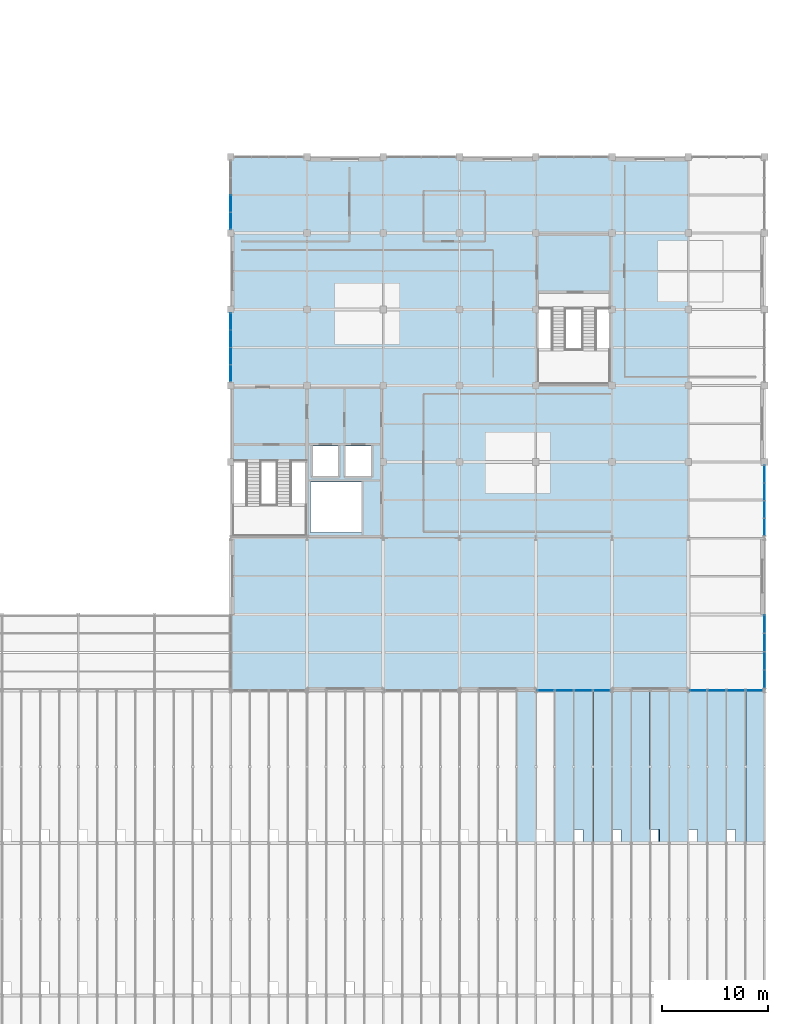
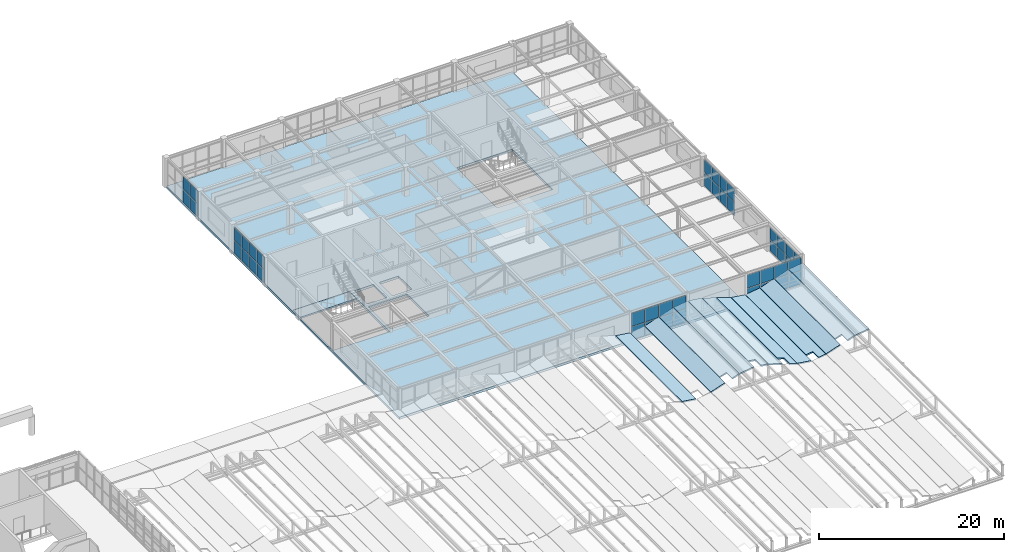
# One storey, part 60 of 83: 44 plates, 14 slabs, 6 elements without a shape of their own.
"""IFC4 building model written with IfcOpenShell, lengths in metres."""

import ifcopenshell
import ifcopenshell.guid

model = None  # the IFC model being written
_history = None  # IfcOwnerHistory: only IFC2X3 demands one
_inside = {}  # id of a spatial element -> (the spatial element, [elements in it])
_under = {}  # id of a project, library or spatial element -> (it, [spatial elements below it])
_declared = {}  # id of a project -> (the project, [libraries it declares])
_typed = {}  # id of a type object -> (the type object, [elements of that type])
_made_of = {}  # id of a material, layer set ... -> (it, [elements and type objects made of it])


def new_model(schema):
    """Start an empty IFC model of exactly this schema.

    Asked for "IFC4X3", IfcOpenShell would pick the latest addendum, in which some entities
    have other attributes; the version numbers below select the first issue.
    IFC2X3 requires an IfcOwnerHistory on every rooted entity: one is made here for all.
    """
    global model, _history
    if schema == "IFC4X3":
        model = ifcopenshell.file(schema_version=(4, 3, 0, 0))
    else:
        model = ifcopenshell.file(schema=schema)
    _inside.clear()
    _under.clear()
    _declared.clear()
    _typed.clear()
    _made_of.clear()
    _history = None
    if model.schema == "IFC2X3":
        org = make("IfcOrganization", Name="unknown")
        user = make(
            "IfcPersonAndOrganization",
            ThePerson=make("IfcPerson", FamilyName="unknown"),
            TheOrganization=org,
        )
        app = make(
            "IfcApplication",
            ApplicationDeveloper=org,
            Version="unknown",
            ApplicationFullName="unknown",
            ApplicationIdentifier="unknown",
        )
        _history = make(
            "IfcOwnerHistory",
            OwningUser=user,
            OwningApplication=app,
            ChangeAction="ADDED",
            CreationDate=0,
        )
    return model


def make(cls, **values):
    """One entity of the class cls with the attributes given. An attribute that is None is left unset."""
    return model.create_entity(
        cls, **{name: value for name, value in values.items() if value is not None}
    )


def rooted(cls, **values):
    """An entity with a GlobalId (a new one), such as an element, a storey or a relation."""
    return make(cls, GlobalId=ifcopenshell.guid.new(), OwnerHistory=_history, **values)


def si_unit(unit_type, name, prefix=None):
    """IfcSIUnit, for example si_unit("LENGTHUNIT", "METRE", prefix="MILLI")."""
    return make("IfcSIUnit", UnitType=unit_type, Prefix=prefix, Name=name)


def assignment(units):
    """IfcUnitAssignment: the units of a project."""
    return None if units is None else make("IfcUnitAssignment", Units=units)


def point(xyz):
    """IfcCartesianPoint."""
    return None if xyz is None else make("IfcCartesianPoint", Coordinates=xyz)


def direction(xyz):
    """IfcDirection."""
    return None if xyz is None else make("IfcDirection", DirectionRatios=xyz)


def frame(location, z_axis=None, x_axis=None):
    """IfcAxis2Placement3D, a coordinate frame: its origin and axes. An axis left out is left unset."""
    return make(
        "IfcAxis2Placement3D",
        Location=point(location),
        Axis=direction(z_axis),
        RefDirection=direction(x_axis),
    )


def frame_2d(location, x_axis=None):
    """IfcAxis2Placement2D, a coordinate frame in the plane: its origin and x axis."""
    return make(
        "IfcAxis2Placement2D", Location=point(location), RefDirection=direction(x_axis)
    )


def origin():
    """The frame at (0, 0, 0) with its axes left unset."""
    return frame((0.0, 0.0, 0.0))


def origin_2d():
    """The frame at (0, 0) in the plane with its x axis left unset."""
    return frame_2d((0.0, 0.0))


def place(relative_to, where):
    """IfcLocalPlacement: puts the frame where relative to a parent placement (None: the world)."""
    return make(
        "IfcLocalPlacement", PlacementRelTo=relative_to, RelativePlacement=where
    )


def context(
    kind, dimensions, precision=None, world=None, true_north=None, identifier=None
):
    """IfcGeometricRepresentationContext, for example the 3D "Model" context."""
    return make(
        "IfcGeometricRepresentationContext",
        ContextIdentifier=identifier,
        ContextType=kind,
        CoordinateSpaceDimension=dimensions,
        Precision=precision,
        WorldCoordinateSystem=world,
        TrueNorth=true_north,
    )


def subcontext(parent, identifier, kind, view, scale=None):
    """IfcGeometricRepresentationSubContext, for example "Body" below "Model"."""
    return make(
        "IfcGeometricRepresentationSubContext",
        ContextIdentifier=identifier,
        ContextType=kind,
        ParentContext=parent,
        TargetScale=scale,
        TargetView=view,
    )


def project(units=None, contexts=None):
    """IfcProject with its units and contexts."""
    return rooted(
        "IfcProject",
        Name="project",
        RepresentationContexts=contexts,
        UnitsInContext=assignment(units),
    )


def spatial(cls, under=None, at=None, **own):
    """A site, building, storey or space (cls), placed at a placement, below another one or the project."""
    s = rooted(cls, ObjectPlacement=at, **own)
    if under is not None:
        _under.setdefault(under.id(), (under, []))[1].append(s)
    return s


def polyline(points):
    """IfcPolyline through the points."""
    return make("IfcPolyline", Points=[point(p) for p in points])


def profile(cls, at=None, kind="AREA", **sizes):
    """A parametric profile (cls). Its sizes go by their IFC names, for example OverallWidth=200.0."""
    return make(cls, ProfileType=kind, Position=at, **sizes)


def rectangle(**sizes):
    """IfcRectangleProfileDef."""
    return profile("IfcRectangleProfileDef", **sizes)


def outline(outer, holes=None, kind="AREA"):
    """IfcArbitraryClosedProfileDef: a profile drawn as a closed curve; with holes, ...WithVoids."""
    if holes is None:
        return make("IfcArbitraryClosedProfileDef", ProfileType=kind, OuterCurve=outer)
    return make(
        "IfcArbitraryProfileDefWithVoids",
        ProfileType=kind,
        OuterCurve=outer,
        InnerCurves=holes,
    )


def extrude(swept, where, along, depth):
    """IfcExtrudedAreaSolid: the profile swept, set in the frame where, extruded along a direction by depth."""
    return make(
        "IfcExtrudedAreaSolid",
        SweptArea=swept,
        Position=where,
        ExtrudedDirection=direction(along),
        Depth=depth,
    )


def shape(context_of_items, identifier, shape_type, items):
    """IfcShapeRepresentation: the items that make up one representation, for example the "Body"."""
    return make(
        "IfcShapeRepresentation",
        ContextOfItems=context_of_items,
        RepresentationIdentifier=identifier,
        RepresentationType=shape_type,
        Items=items,
    )


def material(Name=None, Category=None):
    """IfcMaterial."""
    return make("IfcMaterial", Name=Name, Category=Category)


def layer(
    of_material, thickness, ventilated=None, Name=None, Category=None, Priority=None
):
    """IfcMaterialLayer: one layer of a wall or slab, of a material (None: an air gap)."""
    return make(
        "IfcMaterialLayer",
        Material=of_material,
        LayerThickness=thickness,
        IsVentilated=ventilated,
        Name=Name,
        Category=Category,
        Priority=Priority,
    )


def layer_set(layers, Name=None):
    """IfcMaterialLayerSet."""
    return make("IfcMaterialLayerSet", MaterialLayers=layers, LayerSetName=Name)


def made_of(thing, what):
    """Note that an element or type object is made of a material, layer set ...; save() writes the relation."""
    if what is not None:
        _made_of.setdefault(what.id(), (what, []))[1].append(thing)
    return thing


def type_object(cls, material=None, **own):
    """A type object (cls), such as IfcWallType, which elements share."""
    return made_of(rooted(cls, **own), material)


def element(
    cls,
    number,
    at=None,
    inside=None,
    cuts=None,
    type_object=None,
    material=None,
    context=None,
    identifier="Body",
    shape_type=None,
    held_by="IfcProductDefinitionShape",
    body=None,
    shapes=None,
    **own,
):
    """One element of the class cls, such as IfcWall. Its Tag is "e" and its number.

    at: its placement. inside: the storey or other place that contains it. cuts: it is an
    opening in that element (IfcRelVoidsElement). A single representation is given by context,
    identifier, shape_type and body (its items); several are given by shapes. held_by: the class
    of the entity that holds the representations. save() writes the other relations.
    """
    e = rooted(cls, Tag="e%d" % number, ObjectPlacement=at, **own)
    if body is not None:
        shapes = [shape(context, identifier, shape_type, body)]
    if shapes is not None:
        e.Representation = make(held_by, Representations=shapes)
    if inside is not None:
        _inside.setdefault(inside.id(), (inside, []))[1].append(e)
    if cuts is not None:
        rooted(
            "IfcRelVoidsElement", RelatingBuildingElement=cuts, RelatedOpeningElement=e
        )
    if type_object is not None:
        _typed.setdefault(type_object.id(), (type_object, []))[1].append(e)
    return made_of(e, material)


def aggregate(whole, parts):
    """IfcRelAggregates: a whole, such as a stair, and the parts it consists of."""
    return rooted("IfcRelAggregates", RelatingObject=whole, RelatedObjects=parts)


def save(model, path):
    """Write the relations noted so far, then the file.

    IfcRelAggregates (storeys below a building ...), IfcRelContainedInSpatialStructure (elements
    in a storey), IfcRelDefinesByType, IfcRelAssociatesMaterial and IfcRelDeclares: one each for
    every whole, place, type object, material and project.
    """
    for whole, parts in _under.values():
        aggregate(whole, parts)
    for where, things in _inside.values():
        rooted(
            "IfcRelContainedInSpatialStructure",
            RelatedElements=things,
            RelatingStructure=where,
        )
    for kind, things in _typed.values():
        rooted("IfcRelDefinesByType", RelatedObjects=things, RelatingType=kind)
    for what, things in _made_of.values():
        rooted("IfcRelAssociatesMaterial", RelatedObjects=things, RelatingMaterial=what)
    for by, libraries in _declared.values():
        rooted("IfcRelDeclares", RelatingContext=by, RelatedDefinitions=libraries)
    model.write(path)


model = new_model("IFC4")

# Units and contexts
model_context = context("Model", 3, precision=1e-05, world=origin(), true_north=direction((0.0, 1.0)))
body_context = subcontext(model_context, "Body", "Model", "MODEL_VIEW")
ifc_project = project(units=[si_unit("LENGTHUNIT", "METRE"), si_unit("AREAUNIT", "SQUARE_METRE"), si_unit("VOLUMEUNIT", "CUBIC_METRE"), si_unit("PLANEANGLEUNIT", "RADIAN"), si_unit("MASSUNIT", "GRAM", prefix="KILO")], contexts=[model_context])

# Site, building, storey
site_placement = place(None, origin())
site = spatial("IfcSite", under=ifc_project, at=site_placement, CompositionType="ELEMENT")
building_placement = place(site_placement, origin())
building = spatial("IfcBuilding", under=site, at=building_placement, Name="Leyfeld Transit Interchange", CompositionType="ELEMENT")
storey_placement = place(building_placement, frame((0.0, 0.0, 5.39990234375)))
storey = spatial("IfcBuildingStorey", under=building, at=storey_placement, Name="L01", CompositionType="ELEMENT", Elevation=5.39990234375)

# Curtain wall, plates
ifc_material_1 = material(Name="Anodised aluminium EN AW-6060 T66", Category="aluminium")
curtain_wall_type = type_object("IfcCurtainWallType", Name="CW-SYS-BUS-7200", PredefinedType="NOTDEFINED", material=ifc_material_1)
curtain_wall_1_placement = place(storey_placement, origin())
curtain_wall_1 = element("IfcCurtainWall", 1, at=curtain_wall_1_placement, inside=storey, type_object=curtain_wall_type, Name="Curtain Wall CW-L01-094", PredefinedType="NOTDEFINED")
ifc_material_2 = material(Name="Laminated safety acoustic glazing", Category="glass")
ifc_layer_1 = layer(ifc_material_2, 0.048095703125, Name="Laminated safety acoustic glazing")
ifc_layer_set_1 = layer_set([ifc_layer_1], Name="Laminated safety acoustic glazing")
plate_type = type_object("IfcPlateType", Name="CW-PNL-ACU-48", PredefinedType="CURTAIN_PANEL", material=ifc_layer_set_1)
plate_1_placement = place(storey_placement, frame((187.199951171875, 63.62939453125, 0.07373046875), z_axis=(0.0, 0.0, 1.0), x_axis=(0.0, -1.0, 0.0)))
plate_1 = element("IfcPlate", 2, at=plate_1_placement, type_object=plate_type, Name="Glazed Curtain Panel CW-L01-094-P01_1", PredefinedType="CURTAIN_PANEL", context=body_context, shape_type="SweptSolid", body=[
    extrude(rectangle(XDim=1.564208984375, YDim=0.048095703125, at=origin_2d()), origin(), (0.0, 0.0, 1.0), 1.700439453125),
])
plate_2_placement = place(storey_placement, frame((187.199951171875, 63.62939453125, 1.84619140625), z_axis=(0.0, 0.0, 1.0), x_axis=(0.0, -1.0, 0.0)))
plate_2 = element("IfcPlate", 3, at=plate_2_placement, type_object=plate_type, Name="Glazed Curtain Panel CW-L01-094-P01_2", PredefinedType="CURTAIN_PANEL", context=body_context, shape_type="SweptSolid", body=[
    extrude(rectangle(XDim=1.564208984375, YDim=0.048095703125, at=origin_2d()), origin(), (0.0, 0.0, 1.0), 1.700439453125),
])
plate_3_placement = place(storey_placement, frame((187.199951171875, 61.974365234375, 0.07373046875), z_axis=(0.0, 0.0, 1.0), x_axis=(0.0, -1.0, 0.0)))
plate_3 = element("IfcPlate", 4, at=plate_3_placement, type_object=plate_type, Name="Glazed Curtain Panel CW-L01-094-P02_1", PredefinedType="CURTAIN_PANEL", context=body_context, shape_type="SweptSolid", body=[
    extrude(rectangle(XDim=1.601806640625, YDim=0.048095703125, at=origin_2d()), origin(), (0.0, 0.0, 1.0), 1.700439453125),
])
plate_4_placement = place(storey_placement, frame((187.199951171875, 61.974365234375, 1.84619140625), z_axis=(0.0, 0.0, 1.0), x_axis=(0.0, -1.0, 0.0)))
plate_4 = element("IfcPlate", 5, at=plate_4_placement, type_object=plate_type, Name="Glazed Curtain Panel CW-L01-094-P02_2", PredefinedType="CURTAIN_PANEL", context=body_context, shape_type="SweptSolid", body=[
    extrude(rectangle(XDim=1.601806640625, YDim=0.048095703125, at=origin_2d()), origin(), (0.0, 0.0, 1.0), 1.700439453125),
])
plate_5_placement = place(storey_placement, frame((187.199951171875, 60.300537109375, 0.07373046875), z_axis=(0.0, 0.0, 1.0), x_axis=(0.0, -1.0, 0.0)))
plate_5 = element("IfcPlate", 6, at=plate_5_placement, type_object=plate_type, Name="Glazed Curtain Panel CW-L01-094-P03_1", PredefinedType="CURTAIN_PANEL", context=body_context, shape_type="SweptSolid", body=[
    extrude(rectangle(XDim=1.601806640625, YDim=0.048095703125, at=origin_2d()), origin(), (0.0, 0.0, 1.0), 1.700439453125),
])
plate_6_placement = place(storey_placement, frame((187.199951171875, 60.300537109375, 1.84619140625), z_axis=(0.0, 0.0, 1.0), x_axis=(0.0, -1.0, 0.0)))
plate_6 = element("IfcPlate", 7, at=plate_6_placement, type_object=plate_type, Name="Glazed Curtain Panel CW-L01-094-P03_2", PredefinedType="CURTAIN_PANEL", context=body_context, shape_type="SweptSolid", body=[
    extrude(rectangle(XDim=1.601806640625, YDim=0.048095703125, at=origin_2d()), origin(), (0.0, 0.0, 1.0), 1.700439453125),
])
plate_7_placement = place(storey_placement, frame((187.199951171875, 58.6455078125, 0.07373046875), z_axis=(0.0, 0.0, 1.0), x_axis=(0.0, -1.0, 0.0)))
plate_7 = element("IfcPlate", 8, at=plate_7_placement, type_object=plate_type, Name="Glazed Curtain Panel CW-L01-094-P04_1", PredefinedType="CURTAIN_PANEL", context=body_context, shape_type="SweptSolid", body=[
    extrude(rectangle(XDim=1.564208984375, YDim=0.048095703125, at=origin_2d()), origin(), (0.0, 0.0, 1.0), 1.700439453125),
])
plate_8_placement = place(storey_placement, frame((187.199951171875, 58.6455078125, 1.84619140625), z_axis=(0.0, 0.0, 1.0), x_axis=(0.0, -1.0, 0.0)))
plate_8 = element("IfcPlate", 9, at=plate_8_placement, type_object=plate_type, Name="Glazed Curtain Panel CW-L01-094-P04_2", PredefinedType="CURTAIN_PANEL", context=body_context, shape_type="SweptSolid", body=[
    extrude(rectangle(XDim=1.564208984375, YDim=0.048095703125, at=origin_2d()), origin(), (0.0, 0.0, 1.0), 1.700439453125),
])
aggregate(curtain_wall_1, [plate_1, plate_2, plate_3, plate_4, plate_5, plate_6, plate_7, plate_8])

curtain_wall_2_placement = place(storey_placement, origin())
curtain_wall_2 = element("IfcCurtainWall", 10, at=curtain_wall_2_placement, inside=storey, type_object=curtain_wall_type, Name="Curtain Wall CW-L01-095", PredefinedType="NOTDEFINED")
plate_9_placement = place(storey_placement, frame((187.199951171875, 49.478759765625, 0.07373046875), z_axis=(0.0, 0.0, 1.0), x_axis=(0.0, -1.0, 0.0)))
plate_9 = element("IfcPlate", 11, at=plate_9_placement, type_object=plate_type, Name="Glazed Curtain Panel CW-L01-095-P01_1", PredefinedType="CURTAIN_PANEL", context=body_context, shape_type="SweptSolid", body=[
    extrude(rectangle(XDim=1.635498046875, YDim=0.048095703125, at=origin_2d()), origin(), (0.0, 0.0, 1.0), 1.515380859375),
])
plate_10_placement = place(storey_placement, frame((187.199951171875, 49.478759765625, 1.6611328125), z_axis=(0.0, 0.0, 1.0), x_axis=(0.0, -1.0, 0.0)))
plate_10 = element("IfcPlate", 12, at=plate_10_placement, type_object=plate_type, Name="Glazed Curtain Panel CW-L01-095-P01_2", PredefinedType="CURTAIN_PANEL", context=body_context, shape_type="SweptSolid", body=[
    extrude(rectangle(XDim=1.635498046875, YDim=0.048095703125, at=origin_2d()), origin(), (0.0, 0.0, 1.0), 1.515380859375),
])
plate_11_placement = place(storey_placement, frame((187.199951171875, 47.75244140625, 0.07373046875), z_axis=(0.0, 0.0, 1.0), x_axis=(0.0, -1.0, 0.0)))
plate_11 = element("IfcPlate", 13, at=plate_11_placement, type_object=plate_type, Name="Glazed Curtain Panel CW-L01-095-P02_1", PredefinedType="CURTAIN_PANEL", context=body_context, shape_type="SweptSolid", body=[
    extrude(rectangle(XDim=1.673095703125, YDim=0.048095703125, at=origin_2d()), origin(), (0.0, 0.0, 1.0), 1.515380859375),
])
plate_12_placement = place(storey_placement, frame((187.199951171875, 47.75244140625, 1.6611328125), z_axis=(0.0, 0.0, 1.0), x_axis=(0.0, -1.0, 0.0)))
plate_12 = element("IfcPlate", 14, at=plate_12_placement, type_object=plate_type, Name="Glazed Curtain Panel CW-L01-095-P02_2", PredefinedType="CURTAIN_PANEL", context=body_context, shape_type="SweptSolid", body=[
    extrude(rectangle(XDim=1.673095703125, YDim=0.048095703125, at=origin_2d()), origin(), (0.0, 0.0, 1.0), 1.515380859375),
])
plate_13_placement = place(storey_placement, frame((187.199951171875, 46.007568359375, 0.07373046875), z_axis=(0.0, 0.0, 1.0), x_axis=(0.0, -1.0, 0.0)))
plate_13 = element("IfcPlate", 15, at=plate_13_placement, type_object=plate_type, Name="Glazed Curtain Panel CW-L01-095-P03_1", PredefinedType="CURTAIN_PANEL", context=body_context, shape_type="SweptSolid", body=[
    extrude(rectangle(XDim=1.673095703125, YDim=0.048095703125, at=origin_2d()), origin(), (0.0, 0.0, 1.0), 1.515380859375),
])
plate_14_placement = place(storey_placement, frame((187.199951171875, 46.007568359375, 1.6611328125), z_axis=(0.0, 0.0, 1.0), x_axis=(0.0, -1.0, 0.0)))
plate_14 = element("IfcPlate", 16, at=plate_14_placement, type_object=plate_type, Name="Glazed Curtain Panel CW-L01-095-P03_2", PredefinedType="CURTAIN_PANEL", context=body_context, shape_type="SweptSolid", body=[
    extrude(rectangle(XDim=1.673095703125, YDim=0.048095703125, at=origin_2d()), origin(), (0.0, 0.0, 1.0), 1.515380859375),
])
plate_15_placement = place(storey_placement, frame((187.199951171875, 44.28125, 0.07373046875), z_axis=(0.0, 0.0, 1.0), x_axis=(0.0, -1.0, 0.0)))
plate_15 = element("IfcPlate", 17, at=plate_15_placement, type_object=plate_type, Name="Glazed Curtain Panel CW-L01-095-P04_1", PredefinedType="CURTAIN_PANEL", context=body_context, shape_type="SweptSolid", body=[
    extrude(rectangle(XDim=1.635498046875, YDim=0.048095703125, at=origin_2d()), origin(), (0.0, 0.0, 1.0), 1.515380859375),
])
plate_16_placement = place(storey_placement, frame((187.199951171875, 44.28125, 1.6611328125), z_axis=(0.0, 0.0, 1.0), x_axis=(0.0, -1.0, 0.0)))
plate_16 = element("IfcPlate", 18, at=plate_16_placement, type_object=plate_type, Name="Glazed Curtain Panel CW-L01-095-P04_2", PredefinedType="CURTAIN_PANEL", context=body_context, shape_type="SweptSolid", body=[
    extrude(rectangle(XDim=1.635498046875, YDim=0.048095703125, at=origin_2d()), origin(), (0.0, 0.0, 1.0), 1.515380859375),
])
aggregate(curtain_wall_2, [plate_9, plate_10, plate_11, plate_12, plate_13, plate_14, plate_15, plate_16])

curtain_wall_3_placement = place(storey_placement, origin())
curtain_wall_3 = element("IfcCurtainWall", 19, at=curtain_wall_3_placement, inside=storey, type_object=curtain_wall_type, Name="Curtain Wall CW-L01-096", PredefinedType="NOTDEFINED")
plate_17_placement = place(storey_placement, frame((186.17626953125, 43.199951171875, 0.07373046875), z_axis=(0.0, 0.0, 1.0), x_axis=(-1.0, 0.0, 0.0)))
plate_17 = element("IfcPlate", 20, at=plate_17_placement, type_object=plate_type, Name="Glazed Curtain Panel CW-L01-096-P01_1", PredefinedType="CURTAIN_PANEL", context=body_context, shape_type="SweptSolid", body=[
    extrude(rectangle(XDim=1.62060546875, YDim=0.048095703125, at=origin_2d()), origin(), (0.0, 0.0, 1.0), 1.715576171875),
])
plate_18_placement = place(storey_placement, frame((186.17626953125, 43.199951171875, 1.86083984375), z_axis=(0.0, 0.0, 1.0), x_axis=(-1.0, 0.0, 0.0)))
plate_18 = element("IfcPlate", 21, at=plate_18_placement, type_object=plate_type, Name="Glazed Curtain Panel CW-L01-096-P01_2", PredefinedType="CURTAIN_PANEL", context=body_context, shape_type="SweptSolid", body=[
    extrude(rectangle(XDim=1.62060546875, YDim=0.048095703125, at=origin_2d()), origin(), (0.0, 0.0, 1.0), 1.715576171875),
])
plate_19_placement = place(storey_placement, frame((184.465087890625, 43.199951171875, 0.07373046875), z_axis=(0.0, 0.0, 1.0), x_axis=(-1.0, 0.0, 0.0)))
plate_19 = element("IfcPlate", 22, at=plate_19_placement, type_object=plate_type, Name="Glazed Curtain Panel CW-L01-096-P02_1", PredefinedType="CURTAIN_PANEL", context=body_context, shape_type="SweptSolid", body=[
    extrude(rectangle(XDim=1.657958984375, YDim=0.048095703125, at=origin_2d()), origin(), (0.0, 0.0, 1.0), 1.715576171875),
])
plate_20_placement = place(storey_placement, frame((184.465087890625, 43.199951171875, 1.86083984375), z_axis=(0.0, 0.0, 1.0), x_axis=(-1.0, 0.0, 0.0)))
plate_20 = element("IfcPlate", 23, at=plate_20_placement, type_object=plate_type, Name="Glazed Curtain Panel CW-L01-096-P02_2", PredefinedType="CURTAIN_PANEL", context=body_context, shape_type="SweptSolid", body=[
    extrude(rectangle(XDim=1.657958984375, YDim=0.048095703125, at=origin_2d()), origin(), (0.0, 0.0, 1.0), 1.715576171875),
])
plate_21_placement = place(storey_placement, frame((182.735107421875, 43.199951171875, 0.07373046875), z_axis=(0.0, 0.0, 1.0), x_axis=(-1.0, 0.0, 0.0)))
plate_21 = element("IfcPlate", 24, at=plate_21_placement, type_object=plate_type, Name="Glazed Curtain Panel CW-L01-096-P03_1", PredefinedType="CURTAIN_PANEL", context=body_context, shape_type="SweptSolid", body=[
    extrude(rectangle(XDim=1.657958984375, YDim=0.048095703125, at=origin_2d()), origin(), (0.0, 0.0, 1.0), 1.715576171875),
])
plate_22_placement = place(storey_placement, frame((182.735107421875, 43.199951171875, 1.86083984375), z_axis=(0.0, 0.0, 1.0), x_axis=(-1.0, 0.0, 0.0)))
plate_22 = element("IfcPlate", 25, at=plate_22_placement, type_object=plate_type, Name="Glazed Curtain Panel CW-L01-096-P03_2", PredefinedType="CURTAIN_PANEL", context=body_context, shape_type="SweptSolid", body=[
    extrude(rectangle(XDim=1.657958984375, YDim=0.048095703125, at=origin_2d()), origin(), (0.0, 0.0, 1.0), 1.715576171875),
])
plate_23_placement = place(storey_placement, frame((181.023681640625, 43.199951171875, 0.07373046875), z_axis=(0.0, 0.0, 1.0), x_axis=(-1.0, 0.0, 0.0)))
plate_23 = element("IfcPlate", 26, at=plate_23_placement, type_object=plate_type, Name="Glazed Curtain Panel CW-L01-096-P04_1", PredefinedType="CURTAIN_PANEL", context=body_context, shape_type="SweptSolid", body=[
    extrude(rectangle(XDim=1.62060546875, YDim=0.048095703125, at=origin_2d()), origin(), (0.0, 0.0, 1.0), 1.715576171875),
])
plate_24_placement = place(storey_placement, frame((181.023681640625, 43.199951171875, 1.86083984375), z_axis=(0.0, 0.0, 1.0), x_axis=(-1.0, 0.0, 0.0)))
plate_24 = element("IfcPlate", 27, at=plate_24_placement, type_object=plate_type, Name="Glazed Curtain Panel CW-L01-096-P04_2", PredefinedType="CURTAIN_PANEL", context=body_context, shape_type="SweptSolid", body=[
    extrude(rectangle(XDim=1.62060546875, YDim=0.048095703125, at=origin_2d()), origin(), (0.0, 0.0, 1.0), 1.715576171875),
])
aggregate(curtain_wall_3, [plate_17, plate_18, plate_19, plate_20, plate_21, plate_22, plate_23, plate_24])

curtain_wall_4_placement = place(storey_placement, origin())
curtain_wall_4 = element("IfcCurtainWall", 28, at=curtain_wall_4_placement, inside=storey, type_object=curtain_wall_type, Name="Curtain Wall CW-L01-097", PredefinedType="NOTDEFINED")
plate_25_placement = place(storey_placement, frame((171.7763671875, 43.199951171875, 0.07373046875), z_axis=(0.0, 0.0, 1.0), x_axis=(-1.0, 0.0, 0.0)))
plate_25 = element("IfcPlate", 29, at=plate_25_placement, type_object=plate_type, Name="Glazed Curtain Panel CW-L01-097-P01_1", PredefinedType="CURTAIN_PANEL", context=body_context, shape_type="SweptSolid", body=[
    extrude(rectangle(XDim=1.62060546875, YDim=0.048095703125, at=origin_2d()), origin(), (0.0, 0.0, 1.0), 1.715576171875),
])
plate_26_placement = place(storey_placement, frame((171.7763671875, 43.199951171875, 1.86083984375), z_axis=(0.0, 0.0, 1.0), x_axis=(-1.0, 0.0, 0.0)))
plate_26 = element("IfcPlate", 30, at=plate_26_placement, type_object=plate_type, Name="Glazed Curtain Panel CW-L01-097-P01_2", PredefinedType="CURTAIN_PANEL", context=body_context, shape_type="SweptSolid", body=[
    extrude(rectangle(XDim=1.62060546875, YDim=0.048095703125, at=origin_2d()), origin(), (0.0, 0.0, 1.0), 1.715576171875),
])
plate_27_placement = place(storey_placement, frame((170.06494140625, 43.199951171875, 0.07373046875), z_axis=(0.0, 0.0, 1.0), x_axis=(-1.0, 0.0, 0.0)))
plate_27 = element("IfcPlate", 31, at=plate_27_placement, type_object=plate_type, Name="Glazed Curtain Panel CW-L01-097-P02_1", PredefinedType="CURTAIN_PANEL", context=body_context, shape_type="SweptSolid", body=[
    extrude(rectangle(XDim=1.657958984375, YDim=0.048095703125, at=origin_2d()), origin(), (0.0, 0.0, 1.0), 1.715576171875),
])
plate_28_placement = place(storey_placement, frame((170.06494140625, 43.199951171875, 1.86083984375), z_axis=(0.0, 0.0, 1.0), x_axis=(-1.0, 0.0, 0.0)))
plate_28 = element("IfcPlate", 32, at=plate_28_placement, type_object=plate_type, Name="Glazed Curtain Panel CW-L01-097-P02_2", PredefinedType="CURTAIN_PANEL", context=body_context, shape_type="SweptSolid", body=[
    extrude(rectangle(XDim=1.657958984375, YDim=0.048095703125, at=origin_2d()), origin(), (0.0, 0.0, 1.0), 1.715576171875),
])
plate_29_placement = place(storey_placement, frame((168.3349609375, 43.199951171875, 0.07373046875), z_axis=(0.0, 0.0, 1.0), x_axis=(-1.0, 0.0, 0.0)))
plate_29 = element("IfcPlate", 33, at=plate_29_placement, type_object=plate_type, Name="Glazed Curtain Panel CW-L01-097-P03_1", PredefinedType="CURTAIN_PANEL", context=body_context, shape_type="SweptSolid", body=[
    extrude(rectangle(XDim=1.657958984375, YDim=0.048095703125, at=origin_2d()), origin(), (0.0, 0.0, 1.0), 1.715576171875),
])
plate_30_placement = place(storey_placement, frame((168.3349609375, 43.199951171875, 1.86083984375), z_axis=(0.0, 0.0, 1.0), x_axis=(-1.0, 0.0, 0.0)))
plate_30 = element("IfcPlate", 34, at=plate_30_placement, type_object=plate_type, Name="Glazed Curtain Panel CW-L01-097-P03_2", PredefinedType="CURTAIN_PANEL", context=body_context, shape_type="SweptSolid", body=[
    extrude(rectangle(XDim=1.657958984375, YDim=0.048095703125, at=origin_2d()), origin(), (0.0, 0.0, 1.0), 1.715576171875),
])
plate_31_placement = place(storey_placement, frame((166.623779296875, 43.199951171875, 0.07373046875), z_axis=(0.0, 0.0, 1.0), x_axis=(-1.0, 0.0, 0.0)))
plate_31 = element("IfcPlate", 35, at=plate_31_placement, type_object=plate_type, Name="Glazed Curtain Panel CW-L01-097-P04_1", PredefinedType="CURTAIN_PANEL", context=body_context, shape_type="SweptSolid", body=[
    extrude(rectangle(XDim=1.62060546875, YDim=0.048095703125, at=origin_2d()), origin(), (0.0, 0.0, 1.0), 1.715576171875),
])
plate_32_placement = place(storey_placement, frame((166.623779296875, 43.199951171875, 1.86083984375), z_axis=(0.0, 0.0, 1.0), x_axis=(-1.0, 0.0, 0.0)))
plate_32 = element("IfcPlate", 36, at=plate_32_placement, type_object=plate_type, Name="Glazed Curtain Panel CW-L01-097-P04_2", PredefinedType="CURTAIN_PANEL", context=body_context, shape_type="SweptSolid", body=[
    extrude(rectangle(XDim=1.62060546875, YDim=0.048095703125, at=origin_2d()), origin(), (0.0, 0.0, 1.0), 1.715576171875),
])
aggregate(curtain_wall_4, [plate_25, plate_26, plate_27, plate_28, plate_29, plate_30, plate_31, plate_32])

curtain_wall_5_placement = place(storey_placement, origin())
curtain_wall_5 = element("IfcCurtainWall", 37, at=curtain_wall_5_placement, inside=storey, type_object=curtain_wall_type, Name="Curtain Wall CW-L01-101", PredefinedType="NOTDEFINED")
plate_33_placement = place(storey_placement, frame((136.800048828125, 73.155029296875, 0.07373046875), z_axis=(0.0, 0.0, 1.0), x_axis=(0.0, 1.0, 0.0)))
plate_33 = element("IfcPlate", 38, at=plate_33_placement, type_object=plate_type, Name="Glazed Curtain Panel CW-L01-101-P01_1", PredefinedType="CURTAIN_PANEL", context=body_context, shape_type="SweptSolid", body=[
    extrude(rectangle(XDim=1.532958984375, YDim=0.048095703125, at=origin_2d()), origin(), (0.0, 0.0, 1.0), 1.675537109375),
])
plate_34_placement = place(storey_placement, frame((136.800048828125, 73.155029296875, 1.82080078125), z_axis=(0.0, 0.0, 1.0), x_axis=(0.0, 1.0, 0.0)))
plate_34 = element("IfcPlate", 39, at=plate_34_placement, type_object=plate_type, Name="Glazed Curtain Panel CW-L01-101-P01_2", PredefinedType="CURTAIN_PANEL", context=body_context, shape_type="SweptSolid", body=[
    extrude(rectangle(XDim=1.532958984375, YDim=0.048095703125, at=origin_2d()), origin(), (0.0, 0.0, 1.0), 1.675537109375),
])
plate_35_placement = place(storey_placement, frame((136.800048828125, 74.77880859375, 0.07373046875), z_axis=(0.0, 0.0, 1.0), x_axis=(0.0, 1.0, 0.0)))
plate_35 = element("IfcPlate", 40, at=plate_35_placement, type_object=plate_type, Name="Glazed Curtain Panel CW-L01-101-P02_1", PredefinedType="CURTAIN_PANEL", context=body_context, shape_type="SweptSolid", body=[
    extrude(rectangle(XDim=1.570556640625, YDim=0.048095703125, at=origin_2d()), origin(), (0.0, 0.0, 1.0), 1.675537109375),
])
plate_36_placement = place(storey_placement, frame((136.800048828125, 74.77880859375, 1.82080078125), z_axis=(0.0, 0.0, 1.0), x_axis=(0.0, 1.0, 0.0)))
plate_36 = element("IfcPlate", 41, at=plate_36_placement, type_object=plate_type, Name="Glazed Curtain Panel CW-L01-101-P02_2", PredefinedType="CURTAIN_PANEL", context=body_context, shape_type="SweptSolid", body=[
    extrude(rectangle(XDim=1.570556640625, YDim=0.048095703125, at=origin_2d()), origin(), (0.0, 0.0, 1.0), 1.675537109375),
])
plate_37_placement = place(storey_placement, frame((136.800048828125, 76.42138671875, 0.07373046875), z_axis=(0.0, 0.0, 1.0), x_axis=(0.0, 1.0, 0.0)))
plate_37 = element("IfcPlate", 42, at=plate_37_placement, type_object=plate_type, Name="Glazed Curtain Panel CW-L01-101-P03_1", PredefinedType="CURTAIN_PANEL", context=body_context, shape_type="SweptSolid", body=[
    extrude(rectangle(XDim=1.570556640625, YDim=0.048095703125, at=origin_2d()), origin(), (0.0, 0.0, 1.0), 1.675537109375),
])
plate_38_placement = place(storey_placement, frame((136.800048828125, 76.42138671875, 1.82080078125), z_axis=(0.0, 0.0, 1.0), x_axis=(0.0, 1.0, 0.0)))
plate_38 = element("IfcPlate", 43, at=plate_38_placement, type_object=plate_type, Name="Glazed Curtain Panel CW-L01-101-P03_2", PredefinedType="CURTAIN_PANEL", context=body_context, shape_type="SweptSolid", body=[
    extrude(rectangle(XDim=1.570556640625, YDim=0.048095703125, at=origin_2d()), origin(), (0.0, 0.0, 1.0), 1.675537109375),
])
plate_39_placement = place(storey_placement, frame((136.800048828125, 78.044921875, 0.07373046875), z_axis=(0.0, 0.0, 1.0), x_axis=(0.0, 1.0, 0.0)))
plate_39 = element("IfcPlate", 44, at=plate_39_placement, type_object=plate_type, Name="Glazed Curtain Panel CW-L01-101-P04_1", PredefinedType="CURTAIN_PANEL", context=body_context, shape_type="SweptSolid", body=[
    extrude(rectangle(XDim=1.532958984375, YDim=0.048095703125, at=origin_2d()), origin(), (0.0, 0.0, 1.0), 1.675537109375),
])
plate_40_placement = place(storey_placement, frame((136.800048828125, 78.044921875, 1.82080078125), z_axis=(0.0, 0.0, 1.0), x_axis=(0.0, 1.0, 0.0)))
plate_40 = element("IfcPlate", 45, at=plate_40_placement, type_object=plate_type, Name="Glazed Curtain Panel CW-L01-101-P04_2", PredefinedType="CURTAIN_PANEL", context=body_context, shape_type="SweptSolid", body=[
    extrude(rectangle(XDim=1.532958984375, YDim=0.048095703125, at=origin_2d()), origin(), (0.0, 0.0, 1.0), 1.675537109375),
])
aggregate(curtain_wall_5, [plate_33, plate_34, plate_35, plate_36, plate_37, plate_38, plate_39, plate_40])

curtain_wall_6_placement = place(storey_placement, origin())
curtain_wall_6 = element("IfcCurtainWall", 46, at=curtain_wall_6_placement, inside=storey, type_object=curtain_wall_type, Name="Curtain Wall CW-L01-102", PredefinedType="NOTDEFINED")
plate_41_placement = place(storey_placement, frame((136.800048828125, 87.554931640625, 0.07373046875), z_axis=(0.0, 0.0, 1.0), x_axis=(0.0, 1.0, 0.0)))
plate_41 = element("IfcPlate", 47, at=plate_41_placement, type_object=plate_type, Name="Glazed Curtain Panel CW-L01-102-P01_1", PredefinedType="CURTAIN_PANEL", context=body_context, shape_type="SweptSolid", body=[
    extrude(rectangle(XDim=1.532958984375, YDim=0.048095703125, at=origin_2d()), origin(), (0.0, 0.0, 1.0), 1.675537109375),
])
plate_42_placement = place(storey_placement, frame((136.800048828125, 87.554931640625, 1.82080078125), z_axis=(0.0, 0.0, 1.0), x_axis=(0.0, 1.0, 0.0)))
plate_42 = element("IfcPlate", 48, at=plate_42_placement, type_object=plate_type, Name="Glazed Curtain Panel CW-L01-102-P01_2", PredefinedType="CURTAIN_PANEL", context=body_context, shape_type="SweptSolid", body=[
    extrude(rectangle(XDim=1.532958984375, YDim=0.048095703125, at=origin_2d()), origin(), (0.0, 0.0, 1.0), 1.675537109375),
])
plate_43_placement = place(storey_placement, frame((136.800048828125, 89.1787109375, 0.07373046875), z_axis=(0.0, 0.0, 1.0), x_axis=(0.0, 1.0, 0.0)))
plate_43 = element("IfcPlate", 49, at=plate_43_placement, type_object=plate_type, Name="Glazed Curtain Panel CW-L01-102-P02_1", PredefinedType="CURTAIN_PANEL", context=body_context, shape_type="SweptSolid", body=[
    extrude(rectangle(XDim=1.570556640625, YDim=0.048095703125, at=origin_2d()), origin(), (0.0, 0.0, 1.0), 1.675537109375),
])
plate_44_placement = place(storey_placement, frame((136.800048828125, 89.1787109375, 1.82080078125), z_axis=(0.0, 0.0, 1.0), x_axis=(0.0, 1.0, 0.0)))
plate_44 = element("IfcPlate", 50, at=plate_44_placement, type_object=plate_type, Name="Glazed Curtain Panel CW-L01-102-P02_2", PredefinedType="CURTAIN_PANEL", context=body_context, shape_type="SweptSolid", body=[
    extrude(rectangle(XDim=1.570556640625, YDim=0.048095703125, at=origin_2d()), origin(), (0.0, 0.0, 1.0), 1.675537109375),
])
aggregate(curtain_wall_6, [plate_41, plate_42, plate_43, plate_44])

# Slabs
ifc_material_3 = material(Name="Concrete C35/45", Category="concrete")
ifc_layer_2 = layer(ifc_material_3, 0.300048828125, Name="Concrete C35/45")
ifc_layer_set_2 = layer_set([ifc_layer_2], Name="Concrete C35/45")
slab_type_1 = type_object("IfcSlabType", Name="SLB-FLR-300", PredefinedType="FLOOR", material=ifc_layer_set_2)
slab_1_placement = place(storey_placement, frame((0.0, 0.0, -0.2998046875)))
element("IfcSlab", 51, at=slab_1_placement, inside=storey, type_object=slab_type_1, Name="Slab V4 L01 B1", PredefinedType="FLOOR", context=body_context, shape_type="SweptSolid", body=[
    extrude(outline(polyline([(180.0, 93.574951171875), (136.800048828125, 93.574951171875), (136.800048828125, 43.199951171875), (180.0, 43.199951171875), (180.0, 93.574951171875)]), holes=[polyline([(144.0, 57.75), (136.949951171875, 57.75), (136.949951171875, 66.449951171875), (144.0, 66.449951171875), (144.0, 57.75)]), polyline([(144.35009765625, 58.14990234375), (144.35009765625, 62.919921875), (149.14990234375, 62.919921875), (149.14990234375, 58.14990234375), (144.35009765625, 58.14990234375)]), polyline([(144.550048828125, 66.300048828125), (146.949951171875, 66.300048828125), (146.949951171875, 63.449951171875), (144.550048828125, 63.449951171875), (144.550048828125, 66.300048828125)]), polyline([(150.050048828125, 66.300048828125), (150.050048828125, 63.449951171875), (147.64990234375, 63.449951171875), (147.64990234375, 66.300048828125), (150.050048828125, 66.300048828125)]), polyline([(172.6650390625, 72.135009765625), (165.735107421875, 72.135009765625), (165.735107421875, 80.85009765625), (172.6650390625, 80.85009765625), (172.6650390625, 72.135009765625)])]), origin(), (0.0, 0.0, 1.0), 0.2998046875),
])
ifc_material_4 = material(Name="Precast concrete C40/50", Category="concrete")
ifc_layer_3 = layer(ifc_material_4, 0.199951171875, Name="Precast concrete C40/50")
ifc_layer_set_3 = layer_set([ifc_layer_3], Name="Precast concrete C40/50")
slab_type_2 = type_object("IfcSlabType", Name="SLB-LND-200", PredefinedType="LANDING", material=ifc_layer_set_3)
slab_2_placement = place(storey_placement, frame((0.0, 0.0, -0.199951171875)))
element("IfcSlab", 52, at=slab_2_placement, inside=storey, type_object=slab_type_2, Name="Core K4 Stair Floor Landing L01", PredefinedType="LANDING", context=body_context, shape_type="SweptSolid", body=[
    extrude(outline(polyline([(136.955078125, 64.89990234375), (143.9951171875, 64.89990234375), (143.9951171875, 66.445068359375), (136.955078125, 66.445068359375), (136.955078125, 64.89990234375)])), origin(), (0.0, 0.0, 1.0), 0.199951171875),
])
ifc_layer_4 = layer(ifc_material_4, 0.179931640625, Name="Precast concrete C40/50")
ifc_layer_set_4 = layer_set([ifc_layer_4], Name="Precast concrete C40/50")
slab_type_3 = type_object("IfcSlabType", Name="SLB-WAVE-180", PredefinedType="ROOF", material=ifc_layer_set_4)
slab_3_placement = place(storey_placement, frame((163.820068359375, 28.820068359375, 1.34375), z_axis=(0.137130242691, 0.0, 0.990553025607), x_axis=(0.990553025607, 0.0, -0.137130242691)))
element("IfcSlab", 53, at=slab_3_placement, inside=storey, type_object=slab_type_3, Name="Bus Canopy Wave Shell R3 S36", PredefinedType="ROOF", context=body_context, shape_type="SweptSolid", body=[
    extrude(outline(polyline([(0.0, 0.0), (1.7767951034686682, 0.0), (1.7767951034686682, 14.35986328125), (0.0, 14.35986328125), (0.0, 0.0)])), origin(), (0.0, 0.0, -1.0), 0.179931640625),
])
slab_4_placement = place(storey_placement, frame((167.419921875, 28.820068359375, 1.354248046875), z_axis=(-0.317056465138, 0.0, 0.948406662732), x_axis=(0.948406662732, 0.0, 0.317056465138)))
element("IfcSlab", 54, at=slab_4_placement, inside=storey, type_object=slab_type_3, Name="Bus Canopy Wave Shell R3 S38", PredefinedType="ROOF", context=body_context, shape_type="SweptSolid", body=[
    extrude(outline(polyline([(0.0, 0.0), (1.8557543243692887, 0.0), (1.8557543243692887, 14.359863281250004), (0.0, 14.359863281250004), (0.0, 0.0)])), origin(), (0.0, 0.0, -1.0), 0.179931640625),
])
slab_5_placement = place(storey_placement, frame((169.219970703125, 30.070068359375, 1.95751953125), z_axis=(-0.317056978244, -4.01599e-07, 0.948406491198), x_axis=(0.948406491198, -5e-12, 0.317056978244)))
element("IfcSlab", 55, at=slab_5_placement, inside=storey, type_object=slab_type_3, Name="Bus Canopy Wave Shell R3 S39", PredefinedType="ROOF", context=body_context, shape_type="SweptSolid", body=[
    extrude(outline(polyline([(0.0, 0.0), (0.8963392883369066, 0.0), (0.8963392883433661, -1.2499999999998992), (1.8557543243754764, -1.2499999999907125), (1.8557543243012695, 13.10986328125813), (-6.774716185961031e-11, 13.109863281248943), (0.0, 0.0)])), origin(), (0.0, 0.0, -1.0), 0.179931640625),
])
slab_6_placement = place(storey_placement, frame((171.02001953125, 28.820068359375, 2.556396484375), z_axis=(-0.137130242691, 0.0, 0.990553025607), x_axis=(0.990553025607, 0.0, 0.137130242691)))
element("IfcSlab", 56, at=slab_6_placement, inside=storey, type_object=slab_type_3, Name="Bus Canopy Wave Shell R3 S40", PredefinedType="ROOF", context=body_context, shape_type="SweptSolid", body=[
    extrude(outline(polyline([(0.0, 0.0), (1.7767951034686682, 0.0), (1.7767951034686682, 14.35986328125), (0.0, 14.35986328125), (0.0, 0.0)])), origin(), (0.0, 0.0, -1.0), 0.179931640625),
])
slab_7_placement = place(storey_placement, frame((172.820068359375, 30.070068359375, 2.800048828125), z_axis=(0.137129053119, -8.53513e-07, 0.990553190288), x_axis=(0.990553190288, -2.4e-11, -0.13712905312)))
element("IfcSlab", 57, at=slab_7_placement, inside=storey, type_object=slab_type_3, Name="Bus Canopy Wave Shell R3 S41", PredefinedType="ROOF", context=body_context, shape_type="SweptSolid", body=[
    extrude(outline(polyline([(0.0, 0.0), (0.8579618796380758, 1.3234889800848443e-23), (0.8579618796685577, -1.2499999999995446), (1.7767951034978688, -1.2499999999580378), (1.776795103147696, 13.109863281286732), (-3.1969096300248064e-10, 13.109863281245225), (0.0, 0.0)])), origin(), (0.0, 0.0, -1.0), 0.179931640625),
])
slab_8_placement = place(storey_placement, frame((174.6201171875, 28.820068359375, 2.5458984375), z_axis=(0.317096029298, 0.0, 0.948393435344), x_axis=(0.948393435344, 0.0, -0.317096029298)))
element("IfcSlab", 58, at=slab_8_placement, inside=storey, type_object=slab_type_3, Name="Bus Canopy Wave Shell R3 S42", PredefinedType="ROOF", context=body_context, shape_type="SweptSolid", body=[
    extrude(outline(polyline([(0.0, 0.0), (1.8555227813884656, 0.0), (1.8555227813884656, 14.35986328125), (0.0, 14.35986328125), (0.0, 0.0)])), origin(), (0.0, 0.0, -1.0), 0.179931640625),
])
slab_9_placement = place(storey_placement, frame((176.419921875, 30.070068359375, 1.942626953125), z_axis=(0.317056978244, 4.01599e-07, 0.948406491198), x_axis=(0.948406491198, -5e-12, -0.317056978244)))
element("IfcSlab", 59, at=slab_9_placement, inside=storey, type_object=slab_type_3, Name="Bus Canopy Wave Shell R3 S43", PredefinedType="ROOF", context=body_context, shape_type="SweptSolid", body=[
    extrude(outline(polyline([(0.0, 0.0), (0.8963392883369066, 0.0), (0.8963392883433661, -1.2499999999998992), (1.8557543243754764, -1.2499999999907125), (1.8557543243012695, 13.10986328125813), (-6.774716185961031e-11, 13.109863281248943), (0.0, 0.0)])), origin(), (0.0, 0.0, -1.0), 0.179931640625),
])
slab_10_placement = place(storey_placement, frame((178.219970703125, 28.820068359375, 1.34375), z_axis=(0.137130242691, 0.0, 0.990553025607), x_axis=(0.990553025607, 0.0, -0.137130242691)))
element("IfcSlab", 60, at=slab_10_placement, inside=storey, type_object=slab_type_3, Name="Bus Canopy Wave Shell R3 S44", PredefinedType="ROOF", context=body_context, shape_type="SweptSolid", body=[
    extrude(outline(polyline([(0.0, 0.0), (1.7767951034686682, 0.0), (1.7767951034686682, 14.35986328125), (0.0, 14.35986328125), (0.0, 0.0)])), origin(), (0.0, 0.0, -1.0), 0.179931640625),
])
slab_11_placement = place(storey_placement, frame((180.02001953125, 30.070068359375, 1.10009765625), z_axis=(-0.137130749114, -3.63357e-07, 0.990552955499), x_axis=(0.990552955499, -4e-12, 0.137130749114)))
element("IfcSlab", 61, at=slab_11_placement, inside=storey, type_object=slab_type_3, Name="Bus Canopy Wave Shell R3 S45", PredefinedType="ROOF", context=body_context, shape_type="SweptSolid", body=[
    extrude(outline(polyline([(0.0, 0.0), (0.8582037138964391, 6.617444900424222e-24), (0.858203713901962, -1.2499999999999176), (1.776795103473959, -1.2499999999923972), (1.7767951034105127, 13.109863281256656), (-5.792354759695129e-11, 13.109863281249135), (0.0, 0.0)])), origin(), (0.0, 0.0, -1.0), 0.179931640625),
])
slab_12_placement = place(storey_placement, frame((181.820068359375, 28.820068359375, 1.354248046875), z_axis=(-0.317056465138, 0.0, 0.948406662732), x_axis=(0.948406662732, 0.0, 0.317056465138)))
element("IfcSlab", 62, at=slab_12_placement, inside=storey, type_object=slab_type_3, Name="Bus Canopy Wave Shell R3 S46", PredefinedType="ROOF", context=body_context, shape_type="SweptSolid", body=[
    extrude(outline(polyline([(0.0, 0.0), (1.8557543243692887, 0.0), (1.8557543243692887, 14.359863281250004), (0.0, 14.359863281250004), (0.0, 0.0)])), origin(), (0.0, 0.0, -1.0), 0.179931640625),
])
slab_13_placement = place(storey_placement, frame((183.6201171875, 30.070068359375, 1.95751953125), z_axis=(-0.317094683578, 1.053155e-06, 0.948393885285), x_axis=(0.948393885285, -3.6e-11, 0.317094683578)))
element("IfcSlab", 63, at=slab_13_placement, inside=storey, type_object=slab_type_3, Name="Bus Canopy Wave Shell R3 S47", PredefinedType="ROOF", context=body_context, shape_type="SweptSolid", body=[
    extrude(outline(polyline([(0.0, 0.0), (0.8961077456940822, -5.293955920339377e-23), (0.8961077457385161, -1.249999999999307), (1.8555227814310316, -1.2499999999361213), (1.8555227809205794, 13.109863281305916), (-4.660181016979226e-10, 13.109863281242731), (0.0, 0.0)])), origin(), (0.0, 0.0, -1.0), 0.179931640625),
])
slab_14_placement = place(storey_placement, frame((185.419921875, 28.820068359375, 2.556396484375), z_axis=(-0.137130242691, 0.0, 0.990553025607), x_axis=(0.990553025607, 0.0, 0.137130242691)))
element("IfcSlab", 64, at=slab_14_placement, inside=storey, type_object=slab_type_3, Name="Bus Canopy Wave Shell R3 S48", PredefinedType="ROOF", context=body_context, shape_type="SweptSolid", body=[
    extrude(outline(polyline([(0.0, 0.0), (1.7767951034686682, 0.0), (1.7767951034686682, 14.35986328125), (0.0, 14.35986328125), (0.0, 0.0)])), origin(), (0.0, 0.0, -1.0), 0.179931640625),
])

save(model, "model.ifc")
